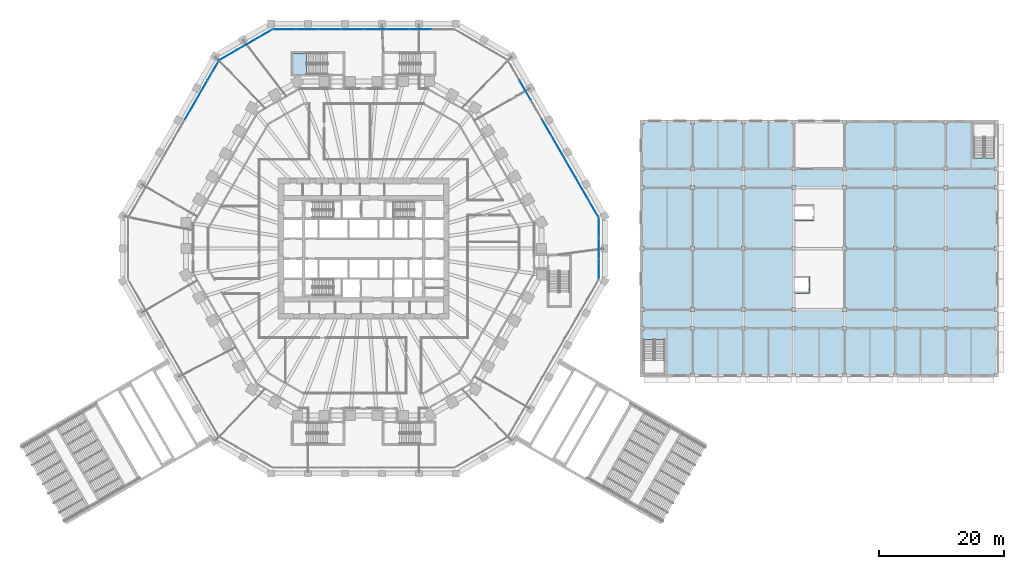
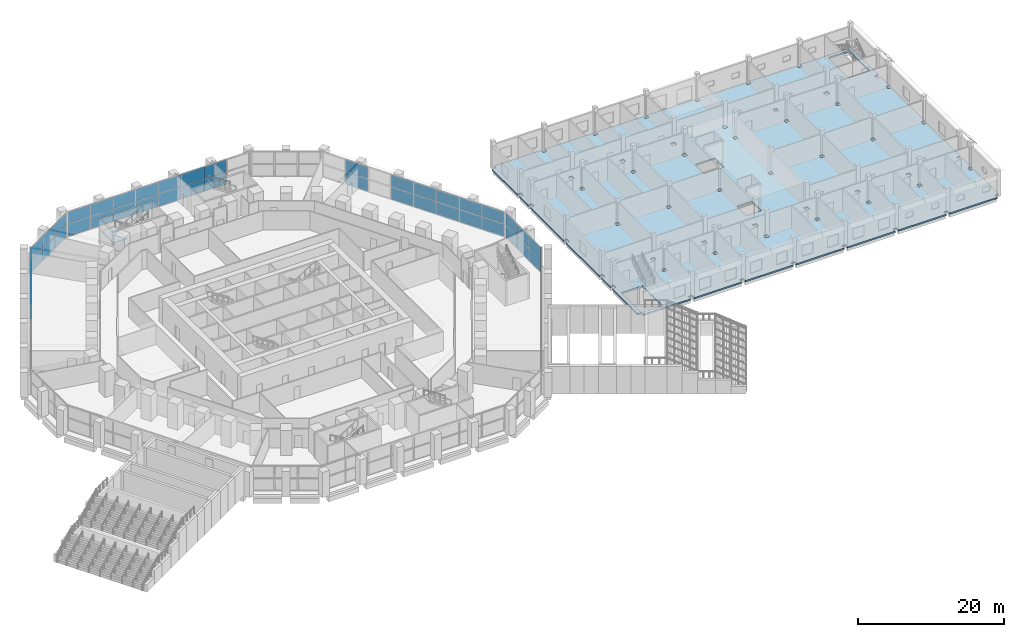
# One storey, part 17 of 38: 44 plates, 2 slabs, 6 elements without a shape of their own.
"""IFC4 building model written with IfcOpenShell, lengths in metres."""

from ifc_helpers import new_model, si_unit, direction, frame, origin, origin_2d, place, context, subcontext, project, spatial, polyline, rectangle, outline, extrude, material, layer, layer_set, type_object, element, aggregate, save


model = new_model("IFC4")

# Units and contexts
model_context = context("Model", 3, precision=1e-05, world=origin(), true_north=direction((0.0, 1.0)))
body_context = subcontext(model_context, "Body", "Model", "MODEL_VIEW")
ifc_project = project(units=[si_unit("LENGTHUNIT", "METRE"), si_unit("AREAUNIT", "SQUARE_METRE"), si_unit("VOLUMEUNIT", "CUBIC_METRE"), si_unit("PLANEANGLEUNIT", "RADIAN"), si_unit("MASSUNIT", "GRAM", prefix="KILO")], contexts=[model_context])

# Site, building, storey
site_placement = place(None, origin())
site = spatial("IfcSite", under=ifc_project, at=site_placement, CompositionType="ELEMENT")
building_placement = place(site_placement, origin())
building = spatial("IfcBuilding", under=site, at=building_placement, Name="Frailejon Research Tower", CompositionType="ELEMENT")
storey_placement = place(building_placement, frame((0.0, 0.0, 5.60009765625)))
storey = spatial("IfcBuildingStorey", under=building, at=storey_placement, Name="L01", CompositionType="ELEMENT", Elevation=5.60009765625)

# Slab
ifc_material_1 = material(Name="Concrete C35/45", Category="concrete")
ifc_layer_1 = layer(ifc_material_1, 0.25)
ifc_layer_set_1 = layer_set([ifc_layer_1], Name="HC flat slab 250")
slab_type_1 = type_object("IfcSlabType", Name="HC flat slab 250", PredefinedType="FLOOR", material=ifc_layer_set_1)
slab_1_placement = place(storey_placement, frame((0.0, 0.0, -0.25)))
element("IfcSlab", 1, at=slab_1_placement, inside=storey, type_object=slab_type_1, Name="HC floor slab L01", PredefinedType="FLOOR", context=body_context, shape_type="SweptSolid", body=[
    extrude(outline(polyline([(101.5, -19.949951171875), (100.89990234375, -19.949951171875), (100.89990234375, -20.550048828125), (93.39990234375, -20.550048828125), (93.39990234375, -19.949951171875), (92.800048828125, -19.949951171875), (92.800048828125, -20.550048828125), (85.300048828125, -20.550048828125), (85.300048828125, -19.949951171875), (84.699951171875, -19.949951171875), (84.699951171875, -20.550048828125), (77.199951171875, -20.550048828125), (77.199951171875, -19.949951171875), (76.60009765625, -19.949951171875), (76.60009765625, -20.550048828125), (69.10009765625, -20.550048828125), (69.10009765625, -19.949951171875), (68.5, -19.949951171875), (68.5, -20.550048828125), (61.0, -20.550048828125), (61.0, -19.949951171875), (60.39990234375, -19.949951171875), (60.39990234375, -20.550048828125), (52.89990234375, -20.550048828125), (52.89990234375, -19.949951171875), (52.300048828125, -19.949951171875), (52.300048828125, -20.550048828125), (44.800048828125, -20.550048828125), (44.800048828125, -20.02001953125), (48.14990234375, -20.02001953125), (48.14990234375, -14.5029296875), (44.800048828125, -14.5029296875), (44.800048828125, -19.949951171875), (44.199951171875, -19.949951171875), (44.199951171875, -13.050048828125), (44.800048828125, -13.050048828125), (44.800048828125, -12.449951171875), (44.199951171875, -12.449951171875), (44.199951171875, -10.050048828125), (44.800048828125, -10.050048828125), (44.800048828125, -9.449951171875), (44.199951171875, -9.449951171875), (44.199951171875, -0.300048828125), (44.800048828125, -0.300048828125), (44.800048828125, 0.300048828125), (44.199951171875, 0.300048828125), (44.199951171875, 9.449951171875), (44.800048828125, 9.449951171875), (44.800048828125, 10.050048828125), (44.199951171875, 10.050048828125), (44.199951171875, 12.449951171875), (44.800048828125, 12.449951171875), (44.800048828125, 13.050048828125), (44.199951171875, 13.050048828125), (44.199951171875, 19.949951171875), (44.800048828125, 19.949951171875), (44.800048828125, 20.550048828125), (52.300048828125, 20.550048828125), (52.300048828125, 19.949951171875), (52.89990234375, 19.949951171875), (52.89990234375, 20.550048828125), (60.39990234375, 20.550048828125), (60.39990234375, 19.949951171875), (61.0, 19.949951171875), (61.0, 20.550048828125), (68.5, 20.550048828125), (68.5, 19.949951171875), (69.10009765625, 19.949951171875), (69.10009765625, 20.550048828125), (76.60009765625, 20.550048828125), (76.60009765625, 19.949951171875), (77.199951171875, 19.949951171875), (77.199951171875, 20.550048828125), (84.699951171875, 20.550048828125), (84.699951171875, 19.949951171875), (85.300048828125, 19.949951171875), (85.300048828125, 20.550048828125), (92.800048828125, 20.550048828125), (92.800048828125, 19.949951171875), (93.39990234375, 19.949951171875), (93.39990234375, 20.550048828125), (100.89990234375, 20.550048828125), (100.89990234375, 20.02001953125), (97.550048828125, 20.02001953125), (97.550048828125, 14.5029296875), (100.89990234375, 14.5029296875), (100.89990234375, 19.949951171875), (101.5, 19.949951171875), (101.5, 13.050048828125), (100.89990234375, 13.050048828125), (100.89990234375, 12.449951171875), (101.5, 12.449951171875), (101.5, 10.050048828125), (100.89990234375, 10.050048828125), (100.89990234375, 9.449951171875), (101.5, 9.449951171875), (101.5, 0.300048828125), (100.89990234375, 0.300048828125), (100.89990234375, -0.300048828125), (101.5, -0.300048828125), (101.5, -9.449951171875), (100.89990234375, -9.449951171875), (100.89990234375, -10.050048828125), (101.5, -10.050048828125), (101.5, -12.449951171875), (100.89990234375, -12.449951171875), (100.89990234375, -13.050048828125), (101.5, -13.050048828125), (101.5, -19.949951171875)]), holes=[polyline([(93.39990234375, -10.050048828125), (93.39990234375, -9.449951171875), (92.800048828125, -9.449951171875), (92.800048828125, -10.050048828125), (93.39990234375, -10.050048828125)]), polyline([(92.800048828125, 12.449951171875), (93.39990234375, 12.449951171875), (93.39990234375, 13.050048828125), (92.800048828125, 13.050048828125), (92.800048828125, 12.449951171875)]), polyline([(92.800048828125, 9.449951171875), (93.39990234375, 9.449951171875), (93.39990234375, 10.050048828125), (92.800048828125, 10.050048828125), (92.800048828125, 9.449951171875)]), polyline([(92.800048828125, -0.300048828125), (93.39990234375, -0.300048828125), (93.39990234375, 0.300048828125), (92.800048828125, 0.300048828125), (92.800048828125, -0.300048828125)]), polyline([(92.800048828125, -13.050048828125), (93.39990234375, -13.050048828125), (93.39990234375, -12.449951171875), (92.800048828125, -12.449951171875), (92.800048828125, -13.050048828125)]), polyline([(84.699951171875, -0.300048828125), (85.300048828125, -0.300048828125), (85.300048828125, 0.300048828125), (84.699951171875, 0.300048828125), (84.699951171875, -0.300048828125)]), polyline([(84.699951171875, -13.050048828125), (85.300048828125, -13.050048828125), (85.300048828125, -12.449951171875), (84.699951171875, -12.449951171875), (84.699951171875, -13.050048828125)]), polyline([(84.699951171875, -10.050048828125), (85.300048828125, -10.050048828125), (85.300048828125, -9.449951171875), (84.699951171875, -9.449951171875), (84.699951171875, -10.050048828125)]), polyline([(84.699951171875, 9.449951171875), (85.300048828125, 9.449951171875), (85.300048828125, 10.050048828125), (84.699951171875, 10.050048828125), (84.699951171875, 9.449951171875)]), polyline([(84.699951171875, 12.449951171875), (85.300048828125, 12.449951171875), (85.300048828125, 13.050048828125), (84.699951171875, 13.050048828125), (84.699951171875, 12.449951171875)]), polyline([(76.60009765625, 12.449951171875), (77.199951171875, 12.449951171875), (77.199951171875, 13.050048828125), (76.60009765625, 13.050048828125), (76.60009765625, 12.449951171875)]), polyline([(76.60009765625, 9.449951171875), (77.199951171875, 9.449951171875), (77.199951171875, 10.050048828125), (76.60009765625, 10.050048828125), (76.60009765625, 9.449951171875)]), polyline([(76.60009765625, -0.300048828125), (77.199951171875, -0.300048828125), (77.199951171875, 0.300048828125), (76.60009765625, 0.300048828125), (76.60009765625, -0.300048828125)]), polyline([(76.60009765625, -13.050048828125), (77.199951171875, -13.050048828125), (77.199951171875, -12.449951171875), (76.60009765625, -12.449951171875), (76.60009765625, -13.050048828125)]), polyline([(76.60009765625, -10.050048828125), (77.199951171875, -10.050048828125), (77.199951171875, -9.449951171875), (76.60009765625, -9.449951171875), (76.60009765625, -10.050048828125)]), polyline([(68.89990234375, 4.5), (72.0, 4.5), (72.0, 7.0), (68.89990234375, 7.0), (68.89990234375, 4.5)]), polyline([(68.89990234375, -7.10009765625), (71.300048828125, -7.10009765625), (71.300048828125, -4.5), (68.89990234375, -4.5), (68.89990234375, -7.10009765625)]), polyline([(69.10009765625, -0.300048828125), (69.10009765625, 0.300048828125), (68.5, 0.300048828125), (68.5, -0.300048828125), (69.10009765625, -0.300048828125)]), polyline([(68.5, 12.449951171875), (69.10009765625, 12.449951171875), (69.10009765625, 13.050048828125), (68.5, 13.050048828125), (68.5, 12.449951171875)]), polyline([(68.5, 9.449951171875), (69.10009765625, 9.449951171875), (69.10009765625, 10.050048828125), (68.5, 10.050048828125), (68.5, 9.449951171875)]), polyline([(68.5, -10.050048828125), (69.10009765625, -10.050048828125), (69.10009765625, -9.449951171875), (68.5, -9.449951171875), (68.5, -10.050048828125)]), polyline([(68.5, -13.050048828125), (69.10009765625, -13.050048828125), (69.10009765625, -12.449951171875), (68.5, -12.449951171875), (68.5, -13.050048828125)]), polyline([(60.39990234375, 12.449951171875), (61.0, 12.449951171875), (61.0, 13.050048828125), (60.39990234375, 13.050048828125), (60.39990234375, 12.449951171875)]), polyline([(60.39990234375, 9.449951171875), (61.0, 9.449951171875), (61.0, 10.050048828125), (60.39990234375, 10.050048828125), (60.39990234375, 9.449951171875)]), polyline([(60.39990234375, -0.300048828125), (61.0, -0.300048828125), (61.0, 0.300048828125), (60.39990234375, 0.300048828125), (60.39990234375, -0.300048828125)]), polyline([(60.39990234375, -10.050048828125), (61.0, -10.050048828125), (61.0, -9.449951171875), (60.39990234375, -9.449951171875), (60.39990234375, -10.050048828125)]), polyline([(60.39990234375, -13.050048828125), (61.0, -13.050048828125), (61.0, -12.449951171875), (60.39990234375, -12.449951171875), (60.39990234375, -13.050048828125)]), polyline([(52.300048828125, -13.050048828125), (52.89990234375, -13.050048828125), (52.89990234375, -12.449951171875), (52.300048828125, -12.449951171875), (52.300048828125, -13.050048828125)]), polyline([(52.89990234375, 12.449951171875), (52.89990234375, 13.050048828125), (52.300048828125, 13.050048828125), (52.300048828125, 12.449951171875), (52.89990234375, 12.449951171875)]), polyline([(52.300048828125, 9.449951171875), (52.89990234375, 9.449951171875), (52.89990234375, 10.050048828125), (52.300048828125, 10.050048828125), (52.300048828125, 9.449951171875)]), polyline([(52.300048828125, -0.300048828125), (52.89990234375, -0.300048828125), (52.89990234375, 0.300048828125), (52.300048828125, 0.300048828125), (52.300048828125, -0.300048828125)]), polyline([(52.300048828125, -10.050048828125), (52.89990234375, -10.050048828125), (52.89990234375, -9.449951171875), (52.300048828125, -9.449951171875), (52.300048828125, -10.050048828125)])]), origin(), (0.0, 0.0, 1.0), 0.25),
])

# Curtain wall, plates
ifc_material_2 = material(Name="Aluminium curtain wall", Category="aluminium")
curtain_wall_type = type_object("IfcCurtainWallType", Name="Podium stick curtain wall system", PredefinedType="NOTDEFINED", material=ifc_material_2)
curtain_wall_1_placement = place(storey_placement, origin())
curtain_wall_1 = element("IfcCurtainWall", 2, at=curtain_wall_1_placement, inside=storey, type_object=curtain_wall_type, Name="Curtain wall L01", PredefinedType="NOTDEFINED")
ifc_material_3 = material(Name="Clear laminated glass", Category="glass")
ifc_layer_2 = layer(ifc_material_3, 0.031982421875)
ifc_layer_set_2 = layer_set([ifc_layer_2], Name="Podium stick curtain wall glass panel 32")
plate_type = type_object("IfcPlateType", Name="Podium stick curtain wall glass panel 32", PredefinedType="CURTAIN_PANEL", material=ifc_layer_set_2)
plate_1_placement = place(storey_placement, frame((37.619140625, -3.212646484375, 0.059814453125), z_axis=(0.0, 0.0, 1.0), x_axis=(0.0, 1.0, 0.0)))
plate_1 = element("IfcPlate", 3, at=plate_1_placement, type_object=plate_type, Name="CW2-021 panel 1.1", PredefinedType="CURTAIN_PANEL", context=body_context, shape_type="SweptSolid", body=[
    extrude(rectangle(XDim=3.1376953125, YDim=0.031982421875, at=origin_2d()), origin(), (0.0, 0.0, 1.0), 2.06005859375),
])
plate_2_placement = place(storey_placement, frame((37.619140625, -3.212646484375, 2.1796875), z_axis=(0.0, 0.0, 1.0), x_axis=(0.0, 1.0, 0.0)))
plate_2 = element("IfcPlate", 4, at=plate_2_placement, type_object=plate_type, Name="CW2-021 panel 1.2", PredefinedType="CURTAIN_PANEL", context=body_context, shape_type="SweptSolid", body=[
    extrude(rectangle(XDim=3.1376953125, YDim=0.031982421875, at=origin_2d()), origin(), (0.0, 0.0, 1.0), 2.010009765625),
])
plate_3_placement = place(storey_placement, frame((37.619140625, 0.0, 0.059814453125), z_axis=(0.0, 0.0, 1.0), x_axis=(0.0, 1.0, 0.0)))
plate_3 = element("IfcPlate", 5, at=plate_3_placement, type_object=plate_type, Name="CW2-021 panel 2.1", PredefinedType="CURTAIN_PANEL", context=body_context, shape_type="SweptSolid", body=[
    extrude(rectangle(XDim=3.167724609375, YDim=0.031982421875, at=origin_2d()), origin(), (0.0, 0.0, 1.0), 2.06005859375),
])
plate_4_placement = place(storey_placement, frame((37.619140625, 0.0, 2.1796875), z_axis=(0.0, 0.0, 1.0), x_axis=(0.0, 1.0, 0.0)))
plate_4 = element("IfcPlate", 6, at=plate_4_placement, type_object=plate_type, Name="CW2-021 panel 2.2", PredefinedType="CURTAIN_PANEL", context=body_context, shape_type="SweptSolid", body=[
    extrude(rectangle(XDim=3.167724609375, YDim=0.031982421875, at=origin_2d()), origin(), (0.0, 0.0, 1.0), 2.010009765625),
])
plate_5_placement = place(storey_placement, frame((37.619140625, 3.212646484375, 0.059814453125), z_axis=(0.0, 0.0, 1.0), x_axis=(0.0, 1.0, 0.0)))
plate_5 = element("IfcPlate", 7, at=plate_5_placement, type_object=plate_type, Name="CW2-021 panel 3.1", PredefinedType="CURTAIN_PANEL", context=body_context, shape_type="SweptSolid", body=[
    extrude(rectangle(XDim=3.1376953125, YDim=0.031982421875, at=origin_2d()), origin(), (0.0, 0.0, 1.0), 2.06005859375),
])
plate_6_placement = place(storey_placement, frame((37.619140625, 3.212646484375, 2.1796875), z_axis=(0.0, 0.0, 1.0), x_axis=(0.0, 1.0, 0.0)))
plate_6 = element("IfcPlate", 8, at=plate_6_placement, type_object=plate_type, Name="CW2-021 panel 3.2", PredefinedType="CURTAIN_PANEL", context=body_context, shape_type="SweptSolid", body=[
    extrude(rectangle(XDim=3.1376953125, YDim=0.031982421875, at=origin_2d()), origin(), (0.0, 0.0, 1.0), 2.010009765625),
])
aggregate(curtain_wall_1, [plate_1, plate_2, plate_3, plate_4, plate_5, plate_6])

curtain_wall_2_placement = place(storey_placement, origin())
curtain_wall_2 = element("IfcCurtainWall", 9, at=curtain_wall_2_placement, inside=storey, type_object=curtain_wall_type, Name="Curtain wall L01", PredefinedType="NOTDEFINED")
plate_7_placement = place(storey_placement, frame((36.659912109375, 6.603271484375, 0.059814453125), z_axis=(0.0, 0.0, 1.0), x_axis=(-0.499998396888, 0.86602632934, 0.0)))
plate_7 = element("IfcPlate", 10, at=plate_7_placement, type_object=plate_type, Name="CW2-022 panel 1.1", PredefinedType="CURTAIN_PANEL", context=body_context, shape_type="SweptSolid", body=[
    extrude(rectangle(XDim=3.517578125, YDim=0.031982421875, at=origin_2d()), origin(), (0.0, 0.0, 1.0), 2.06005859375),
])
plate_8_placement = place(storey_placement, frame((36.659912109375, 6.603271484375, 2.1796875), z_axis=(0.0, 0.0, 1.0), x_axis=(-0.499998396888, 0.86602632934, 0.0)))
plate_8 = element("IfcPlate", 11, at=plate_8_placement, type_object=plate_type, Name="CW2-022 panel 1.2", PredefinedType="CURTAIN_PANEL", context=body_context, shape_type="SweptSolid", body=[
    extrude(rectangle(XDim=3.517578125, YDim=0.031982421875, at=origin_2d()), origin(), (0.0, 0.0, 1.0), 2.010009765625),
])
plate_9_placement = place(storey_placement, frame((34.863525390625, 9.714599609375, 0.059814453125), z_axis=(0.0, 0.0, 1.0), x_axis=(-0.499998396888, 0.86602632934, 0.0)))
plate_9 = element("IfcPlate", 12, at=plate_9_placement, type_object=plate_type, Name="CW2-022 panel 2.1", PredefinedType="CURTAIN_PANEL", context=body_context, shape_type="SweptSolid", body=[
    extrude(rectangle(XDim=3.547607421875, YDim=0.031982421875, at=origin_2d()), origin(), (0.0, 0.0, 1.0), 2.06005859375),
])
plate_10_placement = place(storey_placement, frame((34.863525390625, 9.714599609375, 2.1796875), z_axis=(0.0, 0.0, 1.0), x_axis=(-0.499998396888, 0.86602632934, 0.0)))
plate_10 = element("IfcPlate", 13, at=plate_10_placement, type_object=plate_type, Name="CW2-022 panel 2.2", PredefinedType="CURTAIN_PANEL", context=body_context, shape_type="SweptSolid", body=[
    extrude(rectangle(XDim=3.547607421875, YDim=0.031982421875, at=origin_2d()), origin(), (0.0, 0.0, 1.0), 2.010009765625),
])
plate_11_placement = place(storey_placement, frame((33.059814453125, 12.838623046875, 0.059814453125), z_axis=(0.0, 0.0, 1.0), x_axis=(-0.499998396888, 0.86602632934, 0.0)))
plate_11 = element("IfcPlate", 14, at=plate_11_placement, type_object=plate_type, Name="CW2-022 panel 3.1", PredefinedType="CURTAIN_PANEL", context=body_context, shape_type="SweptSolid", body=[
    extrude(rectangle(XDim=3.547607421875, YDim=0.031982421875, at=origin_2d()), origin(), (0.0, 0.0, 1.0), 2.06005859375),
])
plate_12_placement = place(storey_placement, frame((33.059814453125, 12.838623046875, 2.1796875), z_axis=(0.0, 0.0, 1.0), x_axis=(-0.499998396888, 0.86602632934, 0.0)))
plate_12 = element("IfcPlate", 15, at=plate_12_placement, type_object=plate_type, Name="CW2-022 panel 3.2", PredefinedType="CURTAIN_PANEL", context=body_context, shape_type="SweptSolid", body=[
    extrude(rectangle(XDim=3.547607421875, YDim=0.031982421875, at=origin_2d()), origin(), (0.0, 0.0, 1.0), 2.010009765625),
])
plate_13_placement = place(storey_placement, frame((31.256103515625, 15.962890625, 0.059814453125), z_axis=(0.0, 0.0, 1.0), x_axis=(-0.499998396888, 0.86602632934, 0.0)))
plate_13 = element("IfcPlate", 16, at=plate_13_placement, type_object=plate_type, Name="CW2-022 panel 4.1", PredefinedType="CURTAIN_PANEL", context=body_context, shape_type="SweptSolid", body=[
    extrude(rectangle(XDim=3.547607421875, YDim=0.031982421875, at=origin_2d()), origin(), (0.0, 0.0, 1.0), 2.06005859375),
])
plate_14_placement = place(storey_placement, frame((31.256103515625, 15.962890625, 2.1796875), z_axis=(0.0, 0.0, 1.0), x_axis=(-0.499998396888, 0.86602632934, 0.0)))
plate_14 = element("IfcPlate", 17, at=plate_14_placement, type_object=plate_type, Name="CW2-022 panel 4.2", PredefinedType="CURTAIN_PANEL", context=body_context, shape_type="SweptSolid", body=[
    extrude(rectangle(XDim=3.547607421875, YDim=0.031982421875, at=origin_2d()), origin(), (0.0, 0.0, 1.0), 2.010009765625),
])
plate_15_placement = place(storey_placement, frame((29.452392578125, 19.087158203125, 0.059814453125), z_axis=(0.0, 0.0, 1.0), x_axis=(-0.499998396888, 0.86602632934, 0.0)))
plate_15 = element("IfcPlate", 18, at=plate_15_placement, type_object=plate_type, Name="CW2-022 panel 5.1", PredefinedType="CURTAIN_PANEL", context=body_context, shape_type="SweptSolid", body=[
    extrude(rectangle(XDim=3.547607421875, YDim=0.031982421875, at=origin_2d()), origin(), (0.0, 0.0, 1.0), 2.06005859375),
])
plate_16_placement = place(storey_placement, frame((29.452392578125, 19.087158203125, 2.1796875), z_axis=(0.0, 0.0, 1.0), x_axis=(-0.499998396888, 0.86602632934, 0.0)))
plate_16 = element("IfcPlate", 19, at=plate_16_placement, type_object=plate_type, Name="CW2-022 panel 5.2", PredefinedType="CURTAIN_PANEL", context=body_context, shape_type="SweptSolid", body=[
    extrude(rectangle(XDim=3.547607421875, YDim=0.031982421875, at=origin_2d()), origin(), (0.0, 0.0, 1.0), 2.010009765625),
])
plate_17_placement = place(storey_placement, frame((25.8447265625, 25.33544921875, 0.059814453125), z_axis=(0.0, 0.0, 1.0), x_axis=(-0.499998396888, 0.86602632934, 0.0)))
plate_17 = element("IfcPlate", 20, at=plate_17_placement, type_object=plate_type, Name="CW2-022 panel 7.1", PredefinedType="CURTAIN_PANEL", context=body_context, shape_type="SweptSolid", body=[
    extrude(rectangle(XDim=3.547607421875, YDim=0.031982421875, at=origin_2d()), origin(), (0.0, 0.0, 1.0), 2.06005859375),
])
plate_18_placement = place(storey_placement, frame((25.8447265625, 25.33544921875, 2.1796875), z_axis=(0.0, 0.0, 1.0), x_axis=(-0.499998396888, 0.86602632934, 0.0)))
plate_18 = element("IfcPlate", 21, at=plate_18_placement, type_object=plate_type, Name="CW2-022 panel 7.2", PredefinedType="CURTAIN_PANEL", context=body_context, shape_type="SweptSolid", body=[
    extrude(rectangle(XDim=3.547607421875, YDim=0.031982421875, at=origin_2d()), origin(), (0.0, 0.0, 1.0), 2.010009765625),
])
aggregate(curtain_wall_2, [plate_7, plate_8, plate_9, plate_10, plate_11, plate_12, plate_13, plate_14, plate_15, plate_16, plate_17, plate_18])

curtain_wall_3_placement = place(storey_placement, origin())
curtain_wall_3 = element("IfcCurtainWall", 22, at=curtain_wall_3_placement, inside=storey, type_object=curtain_wall_type, Name="Curtain wall L01", PredefinedType="NOTDEFINED")
plate_19_placement = place(storey_placement, frame((9.018798828125, 35.050048828125, 0.059814453125), z_axis=(0.0, 0.0, 1.0), x_axis=(-1.0, 0.0, 0.0)))
plate_19 = element("IfcPlate", 23, at=plate_19_placement, type_object=plate_type, Name="CW2-024 panel 2.1", PredefinedType="CURTAIN_PANEL", context=body_context, shape_type="SweptSolid", body=[
    extrude(rectangle(XDim=3.547607421875, YDim=0.031982421875, at=origin_2d()), origin(), (0.0, 0.0, 1.0), 2.06005859375),
])
plate_20_placement = place(storey_placement, frame((9.018798828125, 35.050048828125, 2.1796875), z_axis=(0.0, 0.0, 1.0), x_axis=(-1.0, 0.0, 0.0)))
plate_20 = element("IfcPlate", 24, at=plate_20_placement, type_object=plate_type, Name="CW2-024 panel 2.2", PredefinedType="CURTAIN_PANEL", context=body_context, shape_type="SweptSolid", body=[
    extrude(rectangle(XDim=3.547607421875, YDim=0.031982421875, at=origin_2d()), origin(), (0.0, 0.0, 1.0), 2.010009765625),
])
plate_21_placement = place(storey_placement, frame((5.411376953125, 35.050048828125, 0.059814453125), z_axis=(0.0, 0.0, 1.0), x_axis=(-1.0, 0.0, 0.0)))
plate_21 = element("IfcPlate", 25, at=plate_21_placement, type_object=plate_type, Name="CW2-024 panel 3.1", PredefinedType="CURTAIN_PANEL", context=body_context, shape_type="SweptSolid", body=[
    extrude(rectangle(XDim=3.547607421875, YDim=0.031982421875, at=origin_2d()), origin(), (0.0, 0.0, 1.0), 2.06005859375),
])
plate_22_placement = place(storey_placement, frame((5.411376953125, 35.050048828125, 2.1796875), z_axis=(0.0, 0.0, 1.0), x_axis=(-1.0, 0.0, 0.0)))
plate_22 = element("IfcPlate", 26, at=plate_22_placement, type_object=plate_type, Name="CW2-024 panel 3.2", PredefinedType="CURTAIN_PANEL", context=body_context, shape_type="SweptSolid", body=[
    extrude(rectangle(XDim=3.547607421875, YDim=0.031982421875, at=origin_2d()), origin(), (0.0, 0.0, 1.0), 2.010009765625),
])
plate_23_placement = place(storey_placement, frame((1.8037109375, 35.050048828125, 0.059814453125), z_axis=(0.0, 0.0, 1.0), x_axis=(-1.0, 0.0, 0.0)))
plate_23 = element("IfcPlate", 27, at=plate_23_placement, type_object=plate_type, Name="CW2-024 panel 4.1", PredefinedType="CURTAIN_PANEL", context=body_context, shape_type="SweptSolid", body=[
    extrude(rectangle(XDim=3.547607421875, YDim=0.031982421875, at=origin_2d()), origin(), (0.0, 0.0, 1.0), 2.06005859375),
])
plate_24_placement = place(storey_placement, frame((1.8037109375, 35.050048828125, 2.1796875), z_axis=(0.0, 0.0, 1.0), x_axis=(-1.0, 0.0, 0.0)))
plate_24 = element("IfcPlate", 28, at=plate_24_placement, type_object=plate_type, Name="CW2-024 panel 4.2", PredefinedType="CURTAIN_PANEL", context=body_context, shape_type="SweptSolid", body=[
    extrude(rectangle(XDim=3.547607421875, YDim=0.031982421875, at=origin_2d()), origin(), (0.0, 0.0, 1.0), 2.010009765625),
])
plate_25_placement = place(storey_placement, frame((-1.8037109375, 35.050048828125, 0.059814453125), z_axis=(0.0, 0.0, 1.0), x_axis=(-1.0, 0.0, 0.0)))
plate_25 = element("IfcPlate", 29, at=plate_25_placement, type_object=plate_type, Name="CW2-024 panel 5.1", PredefinedType="CURTAIN_PANEL", context=body_context, shape_type="SweptSolid", body=[
    extrude(rectangle(XDim=3.547607421875, YDim=0.031982421875, at=origin_2d()), origin(), (0.0, 0.0, 1.0), 2.06005859375),
])
plate_26_placement = place(storey_placement, frame((-1.8037109375, 35.050048828125, 2.1796875), z_axis=(0.0, 0.0, 1.0), x_axis=(-1.0, 0.0, 0.0)))
plate_26 = element("IfcPlate", 30, at=plate_26_placement, type_object=plate_type, Name="CW2-024 panel 5.2", PredefinedType="CURTAIN_PANEL", context=body_context, shape_type="SweptSolid", body=[
    extrude(rectangle(XDim=3.547607421875, YDim=0.031982421875, at=origin_2d()), origin(), (0.0, 0.0, 1.0), 2.010009765625),
])
plate_27_placement = place(storey_placement, frame((-5.411376953125, 35.050048828125, 0.059814453125), z_axis=(0.0, 0.0, 1.0), x_axis=(-1.0, 0.0, 0.0)))
plate_27 = element("IfcPlate", 31, at=plate_27_placement, type_object=plate_type, Name="CW2-024 panel 6.1", PredefinedType="CURTAIN_PANEL", context=body_context, shape_type="SweptSolid", body=[
    extrude(rectangle(XDim=3.547607421875, YDim=0.031982421875, at=origin_2d()), origin(), (0.0, 0.0, 1.0), 2.06005859375),
])
plate_28_placement = place(storey_placement, frame((-5.411376953125, 35.050048828125, 2.1796875), z_axis=(0.0, 0.0, 1.0), x_axis=(-1.0, 0.0, 0.0)))
plate_28 = element("IfcPlate", 32, at=plate_28_placement, type_object=plate_type, Name="CW2-024 panel 6.2", PredefinedType="CURTAIN_PANEL", context=body_context, shape_type="SweptSolid", body=[
    extrude(rectangle(XDim=3.547607421875, YDim=0.031982421875, at=origin_2d()), origin(), (0.0, 0.0, 1.0), 2.010009765625),
])
plate_29_placement = place(storey_placement, frame((-9.018798828125, 35.050048828125, 0.059814453125), z_axis=(0.0, 0.0, 1.0), x_axis=(-1.0, 0.0, 0.0)))
plate_29 = element("IfcPlate", 33, at=plate_29_placement, type_object=plate_type, Name="CW2-024 panel 7.1", PredefinedType="CURTAIN_PANEL", context=body_context, shape_type="SweptSolid", body=[
    extrude(rectangle(XDim=3.547607421875, YDim=0.031982421875, at=origin_2d()), origin(), (0.0, 0.0, 1.0), 2.06005859375),
])
plate_30_placement = place(storey_placement, frame((-9.018798828125, 35.050048828125, 2.1796875), z_axis=(0.0, 0.0, 1.0), x_axis=(-1.0, 0.0, 0.0)))
plate_30 = element("IfcPlate", 34, at=plate_30_placement, type_object=plate_type, Name="CW2-024 panel 7.2", PredefinedType="CURTAIN_PANEL", context=body_context, shape_type="SweptSolid", body=[
    extrude(rectangle(XDim=3.547607421875, YDim=0.031982421875, at=origin_2d()), origin(), (0.0, 0.0, 1.0), 2.010009765625),
])
plate_31_placement = place(storey_placement, frame((-12.611328125, 35.050048828125, 0.059814453125), z_axis=(0.0, 0.0, 1.0), x_axis=(-1.0, 0.0, 0.0)))
plate_31 = element("IfcPlate", 35, at=plate_31_placement, type_object=plate_type, Name="CW2-024 panel 8.1", PredefinedType="CURTAIN_PANEL", context=body_context, shape_type="SweptSolid", body=[
    extrude(rectangle(XDim=3.517578125, YDim=0.031982421875, at=origin_2d()), origin(), (0.0, 0.0, 1.0), 2.06005859375),
])
plate_32_placement = place(storey_placement, frame((-12.611328125, 35.050048828125, 2.1796875), z_axis=(0.0, 0.0, 1.0), x_axis=(-1.0, 0.0, 0.0)))
plate_32 = element("IfcPlate", 36, at=plate_32_placement, type_object=plate_type, Name="CW2-024 panel 8.2", PredefinedType="CURTAIN_PANEL", context=body_context, shape_type="SweptSolid", body=[
    extrude(rectangle(XDim=3.517578125, YDim=0.031982421875, at=origin_2d()), origin(), (0.0, 0.0, 1.0), 2.010009765625),
])
aggregate(curtain_wall_3, [plate_19, plate_20, plate_21, plate_22, plate_23, plate_24, plate_25, plate_26, plate_27, plate_28, plate_29, plate_30, plate_31, plate_32])

curtain_wall_4_placement = place(storey_placement, origin())
curtain_wall_4 = element("IfcCurtainWall", 37, at=curtain_wall_4_placement, inside=storey, type_object=curtain_wall_type, Name="Curtain wall L01", PredefinedType="NOTDEFINED")
plate_33_placement = place(storey_placement, frame((-16.02734375, 34.185546875, 0.059814453125), z_axis=(0.0, 0.0, 1.0), x_axis=(-0.866025476338, -0.499999874334, 0.0)))
plate_33 = element("IfcPlate", 38, at=plate_33_placement, type_object=plate_type, Name="CW2-025 panel 1.1", PredefinedType="CURTAIN_PANEL", context=body_context, shape_type="SweptSolid", body=[
    extrude(rectangle(XDim=3.1376953125, YDim=0.031982421875, at=origin_2d()), origin(), (0.0, 0.0, 1.0), 2.06005859375),
])
plate_34_placement = place(storey_placement, frame((-16.02734375, 34.185546875, 2.1796875), z_axis=(0.0, 0.0, 1.0), x_axis=(-0.866025476338, -0.499999874334, 0.0)))
plate_34 = element("IfcPlate", 39, at=plate_34_placement, type_object=plate_type, Name="CW2-025 panel 1.2", PredefinedType="CURTAIN_PANEL", context=body_context, shape_type="SweptSolid", body=[
    extrude(rectangle(XDim=3.1376953125, YDim=0.031982421875, at=origin_2d()), origin(), (0.0, 0.0, 1.0), 2.010009765625),
])
plate_35_placement = place(storey_placement, frame((-18.8095703125, 32.5791015625, 0.059814453125), z_axis=(0.0, 0.0, 1.0), x_axis=(-0.866025476338, -0.499999874334, 0.0)))
plate_35 = element("IfcPlate", 40, at=plate_35_placement, type_object=plate_type, Name="CW2-025 panel 2.1", PredefinedType="CURTAIN_PANEL", context=body_context, shape_type="SweptSolid", body=[
    extrude(rectangle(XDim=3.167724609375, YDim=0.031982421875, at=origin_2d()), origin(), (0.0, 0.0, 1.0), 2.06005859375),
])
plate_36_placement = place(storey_placement, frame((-18.8095703125, 32.5791015625, 2.1796875), z_axis=(0.0, 0.0, 1.0), x_axis=(-0.866025476338, -0.499999874334, 0.0)))
plate_36 = element("IfcPlate", 41, at=plate_36_placement, type_object=plate_type, Name="CW2-025 panel 2.2", PredefinedType="CURTAIN_PANEL", context=body_context, shape_type="SweptSolid", body=[
    extrude(rectangle(XDim=3.167724609375, YDim=0.031982421875, at=origin_2d()), origin(), (0.0, 0.0, 1.0), 2.010009765625),
])
plate_37_placement = place(storey_placement, frame((-21.592041015625, 30.972900390625, 0.059814453125), z_axis=(0.0, 0.0, 1.0), x_axis=(-0.866025476338, -0.499999874334, 0.0)))
plate_37 = element("IfcPlate", 42, at=plate_37_placement, type_object=plate_type, Name="CW2-025 panel 3.1", PredefinedType="CURTAIN_PANEL", context=body_context, shape_type="SweptSolid", body=[
    extrude(rectangle(XDim=3.1376953125, YDim=0.031982421875, at=origin_2d()), origin(), (0.0, 0.0, 1.0), 2.06005859375),
])
plate_38_placement = place(storey_placement, frame((-21.592041015625, 30.972900390625, 2.1796875), z_axis=(0.0, 0.0, 1.0), x_axis=(-0.866025476338, -0.499999874334, 0.0)))
plate_38 = element("IfcPlate", 43, at=plate_38_placement, type_object=plate_type, Name="CW2-025 panel 3.2", PredefinedType="CURTAIN_PANEL", context=body_context, shape_type="SweptSolid", body=[
    extrude(rectangle(XDim=3.1376953125, YDim=0.031982421875, at=origin_2d()), origin(), (0.0, 0.0, 1.0), 2.010009765625),
])
aggregate(curtain_wall_4, [plate_33, plate_34, plate_35, plate_36, plate_37, plate_38])

curtain_wall_5_placement = place(storey_placement, origin())
curtain_wall_5 = element("IfcCurtainWall", 44, at=curtain_wall_5_placement, inside=storey, type_object=curtain_wall_type, Name="Curtain wall L01", PredefinedType="NOTDEFINED")
plate_39_placement = place(storey_placement, frame((-24.048583984375, 28.44677734375, 0.059814453125), z_axis=(0.0, 0.0, 1.0), x_axis=(-0.499998396888, -0.86602632934, 0.0)))
plate_39 = element("IfcPlate", 45, at=plate_39_placement, type_object=plate_type, Name="CW2-026 panel 1.1", PredefinedType="CURTAIN_PANEL", context=body_context, shape_type="SweptSolid", body=[
    extrude(rectangle(XDim=3.517578125, YDim=0.031982421875, at=origin_2d()), origin(), (0.0, 0.0, 1.0), 2.06005859375),
])
plate_40_placement = place(storey_placement, frame((-24.048583984375, 28.44677734375, 2.1796875), z_axis=(0.0, 0.0, 1.0), x_axis=(-0.499998396888, -0.86602632934, 0.0)))
plate_40 = element("IfcPlate", 46, at=plate_40_placement, type_object=plate_type, Name="CW2-026 panel 1.2", PredefinedType="CURTAIN_PANEL", context=body_context, shape_type="SweptSolid", body=[
    extrude(rectangle(XDim=3.517578125, YDim=0.031982421875, at=origin_2d()), origin(), (0.0, 0.0, 1.0), 2.010009765625),
])
plate_41_placement = place(storey_placement, frame((-25.8447265625, 25.33544921875, 0.059814453125), z_axis=(0.0, 0.0, 1.0), x_axis=(-0.499998396888, -0.86602632934, 0.0)))
plate_41 = element("IfcPlate", 47, at=plate_41_placement, type_object=plate_type, Name="CW2-026 panel 2.1", PredefinedType="CURTAIN_PANEL", context=body_context, shape_type="SweptSolid", body=[
    extrude(rectangle(XDim=3.547607421875, YDim=0.031982421875, at=origin_2d()), origin(), (0.0, 0.0, 1.0), 2.06005859375),
])
plate_42_placement = place(storey_placement, frame((-25.8447265625, 25.33544921875, 2.1796875), z_axis=(0.0, 0.0, 1.0), x_axis=(-0.499998396888, -0.86602632934, 0.0)))
plate_42 = element("IfcPlate", 48, at=plate_42_placement, type_object=plate_type, Name="CW2-026 panel 2.2", PredefinedType="CURTAIN_PANEL", context=body_context, shape_type="SweptSolid", body=[
    extrude(rectangle(XDim=3.547607421875, YDim=0.031982421875, at=origin_2d()), origin(), (0.0, 0.0, 1.0), 2.010009765625),
])
plate_43_placement = place(storey_placement, frame((-27.648681640625, 22.211181640625, 0.059814453125), z_axis=(0.0, 0.0, 1.0), x_axis=(-0.499998396888, -0.86602632934, 0.0)))
plate_43 = element("IfcPlate", 49, at=plate_43_placement, type_object=plate_type, Name="CW2-026 panel 3.1", PredefinedType="CURTAIN_PANEL", context=body_context, shape_type="SweptSolid", body=[
    extrude(rectangle(XDim=3.547607421875, YDim=0.031982421875, at=origin_2d()), origin(), (0.0, 0.0, 1.0), 2.06005859375),
])
plate_44_placement = place(storey_placement, frame((-27.648681640625, 22.211181640625, 2.1796875), z_axis=(0.0, 0.0, 1.0), x_axis=(-0.499998396888, -0.86602632934, 0.0)))
plate_44 = element("IfcPlate", 50, at=plate_44_placement, type_object=plate_type, Name="CW2-026 panel 3.2", PredefinedType="CURTAIN_PANEL", context=body_context, shape_type="SweptSolid", body=[
    extrude(rectangle(XDim=3.547607421875, YDim=0.031982421875, at=origin_2d()), origin(), (0.0, 0.0, 1.0), 2.010009765625),
])
aggregate(curtain_wall_5, [plate_39, plate_40, plate_41, plate_42, plate_43, plate_44])

# Stair, slab
ifc_material_4 = material(Name="Concrete C50/60", Category="concrete")
stair_type = type_object("IfcStairType", Name="Exit stair 26 risers", PredefinedType="HALF_TURN_STAIR", material=ifc_material_4)
stair_placement = place(storey_placement, origin())
stair = element("IfcStair", 51, at=stair_placement, inside=storey, type_object=stair_type, Name="L01 Exit stair PS1", PredefinedType="HALF_TURN_STAIR")
ifc_material_5 = material(Name="Concrete C50/60", Category="concrete")
ifc_layer_3 = layer(ifc_material_5, 0.199951171875)
ifc_layer_set_3 = layer_set([ifc_layer_3], Name="Stair landing slab 200")
slab_type_2 = type_object("IfcSlabType", Name="Stair landing slab 200", PredefinedType="LANDING", material=ifc_layer_set_3)
slab_2_placement = place(storey_placement, frame((0.0, 0.0, 2.099853515625)))
slab_2 = element("IfcSlab", 52, at=slab_2_placement, type_object=slab_type_2, Name="PS1 landing 1", PredefinedType="LANDING", context=body_context, shape_type="SweptSolid", body=[
    extrude(outline(polyline([(-9.116943359375, 31.22509765625), (-11.27685546875, 31.22509765625), (-11.27685546875, 27.875), (-9.116943359375, 27.875), (-9.116943359375, 31.22509765625)])), origin(), (0.0, 0.0, 1.0), 0.199951171875),
])
aggregate(stair, [slab_2])

save(model, "model.ifc")
